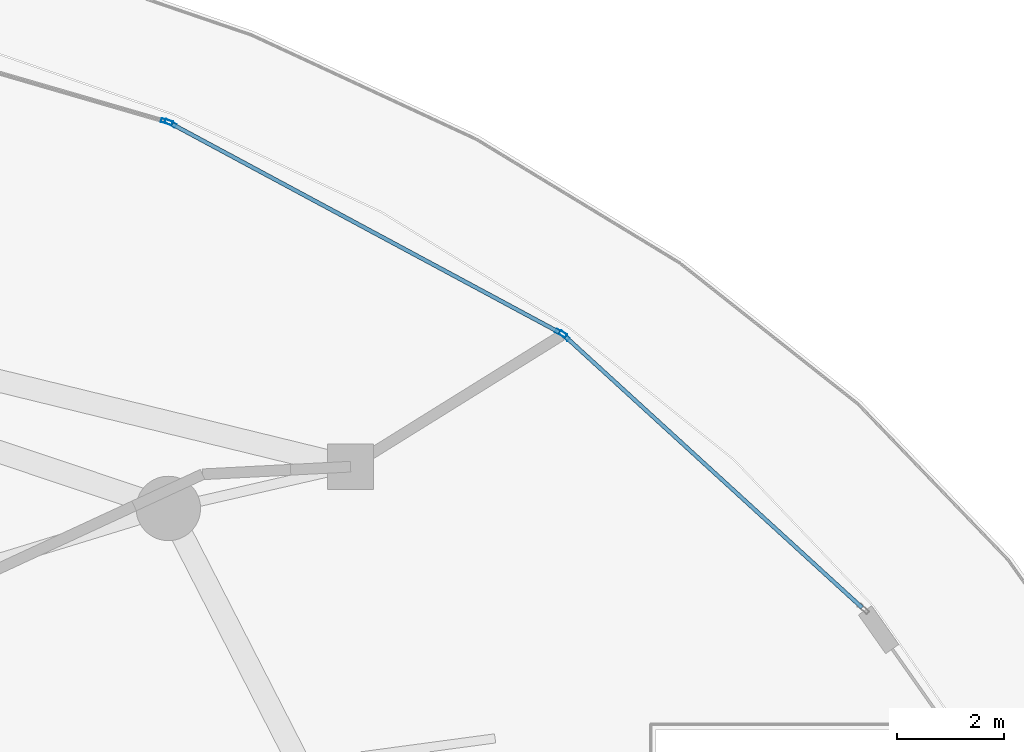
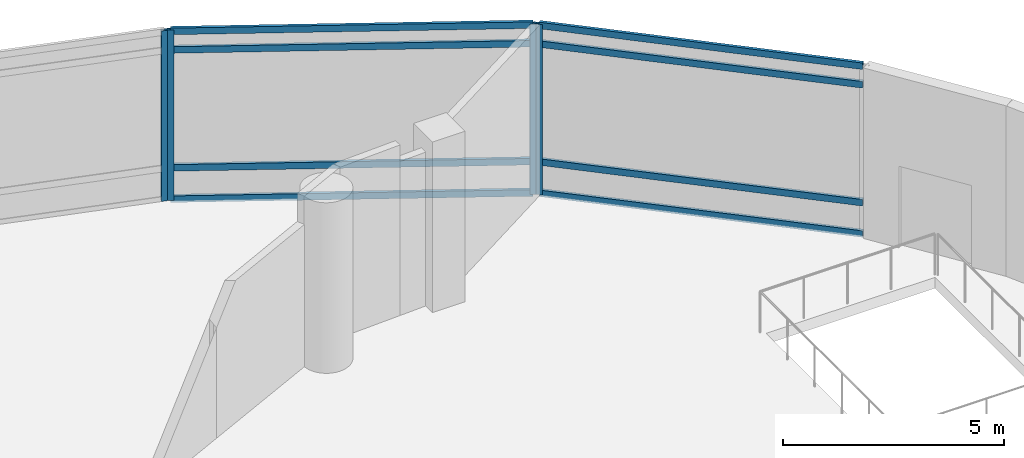
# One storey, part 20 of 36: 12 members, 3 elements without a shape of their own.
"""IFC4 building model written with IfcOpenShell, lengths in metres."""

from ifc_helpers import new_model, si_unit, direction, frame, origin, origin_2d, place, context, subcontext, project, spatial, hollow_rectangle, extrude, material, layer, layer_set, material_profile, profile_set, type_object, element, aggregate, save


model = new_model("IFC4")

# Units and contexts
model_context = context("Model", 3, precision=1e-05, world=origin(), true_north=direction((0.0, 1.0)))
body_context = subcontext(model_context, "Body", "Model", "MODEL_VIEW")
ifc_project = project(units=[si_unit("LENGTHUNIT", "METRE"), si_unit("AREAUNIT", "SQUARE_METRE"), si_unit("VOLUMEUNIT", "CUBIC_METRE"), si_unit("PLANEANGLEUNIT", "RADIAN"), si_unit("MASSUNIT", "GRAM", prefix="KILO")], contexts=[model_context])

# Site, building, storey
site_placement = place(None, origin())
site = spatial("IfcSite", under=ifc_project, at=site_placement, CompositionType="ELEMENT")
building_placement = place(site_placement, origin())
building = spatial("IfcBuilding", under=site, at=building_placement, Name="Nuhasar Tower", CompositionType="ELEMENT")
storey_placement = place(building_placement, frame((0.0, 0.0, 11.0)))
storey = spatial("IfcBuildingStorey", under=building, at=storey_placement, Name="L02", CompositionType="ELEMENT", Elevation=11.0)

# Curtain wall, member
ifc_material = material(Name="Aluminium 6063-T6", Category="aluminium")
ifc_layer = layer(ifc_material, 0.219970703125)
ifc_layer_set = layer_set([ifc_layer], Name="Aluminium 6063-T6")
curtain_wall_type = type_object("IfcCurtainWallType", Name="CW-PODIUM", PredefinedType="NOTDEFINED", material=ifc_layer_set)
curtain_wall_1_placement = place(storey_placement, origin())
curtain_wall_1 = element("IfcCurtainWall", 1, at=curtain_wall_1_placement, inside=storey, type_object=curtain_wall_type, Name="L02 Podium Curtain Wall Bay 03", PredefinedType="NOTDEFINED")
ifc_material_profile_1 = material_profile(ifc_material, hollow_rectangle(XDim=0.074951171875, YDim=0.219970703125, WallThickness=0.0048828125, at=origin_2d()), Name="CWM-1")
ifc_profile_set_1 = profile_set([ifc_material_profile_1], Name="Aluminium 6063-T6")
member_type_1 = type_object("IfcMemberType", Name="CW-MUL-S1", PredefinedType="MULLION", material=ifc_profile_set_1)
member_1_placement = place(storey_placement, frame((64.087646484375, 44.339599609375, 0.0), z_axis=(0.0, 0.0, 1.0), x_axis=(-0.674465166517, -0.738306670127, 0.0)))
member_1 = element("IfcMember", 2, at=member_1_placement, type_object=member_type_1, Name="CW-P1 mullion 2", PredefinedType="MULLION", context=body_context, shape_type="SweptSolid", body=[
    extrude(hollow_rectangle(XDim=0.074951171875, YDim=0.219970703125, WallThickness=0.0048828125, at=origin_2d()), origin(), (0.0, 0.0, 1.0), 4.699951171875),
])

# Curtain wall, members
curtain_wall_2_placement = place(storey_placement, origin())
curtain_wall_2 = element("IfcCurtainWall", 3, at=curtain_wall_2_placement, inside=storey, type_object=curtain_wall_type, Name="L02 Podium Curtain Wall Bay 04", PredefinedType="NOTDEFINED")
member_2_placement = place(storey_placement, frame((64.02685546875, 44.3828125, 0.0), z_axis=(0.0, 0.0, 1.0), x_axis=(-0.473606022453, -0.880736813978, 0.0)))
member_2 = element("IfcMember", 4, at=member_2_placement, type_object=member_type_1, Name="CW-P1 mullion 1", PredefinedType="MULLION", context=body_context, shape_type="SweptSolid", body=[
    extrude(hollow_rectangle(XDim=0.074951171875, YDim=0.219970703125, WallThickness=0.0048828125, at=origin_2d()), origin(), (0.0, 0.0, 1.0), 4.699951171875),
])
member_3_placement = place(storey_placement, frame((56.7529296875, 48.294189453125, 0.0), z_axis=(0.0, 0.0, 1.0), x_axis=(-0.473606022453, -0.880736813978, 0.0)))
member_3 = element("IfcMember", 5, at=member_3_placement, type_object=member_type_1, Name="CW-P1 mullion 2", PredefinedType="MULLION", context=body_context, shape_type="SweptSolid", body=[
    extrude(hollow_rectangle(XDim=0.074951171875, YDim=0.219970703125, WallThickness=0.0048828125, at=origin_2d()), origin(), (0.0, 0.0, 1.0), 4.699951171875),
])

# Curtain wall, member
curtain_wall_3_placement = place(storey_placement, origin())
curtain_wall_3 = element("IfcCurtainWall", 6, at=curtain_wall_3_placement, inside=storey, type_object=curtain_wall_type, Name="L02 Podium Curtain Wall Bay 05", PredefinedType="NOTDEFINED")
member_4_placement = place(storey_placement, frame((56.68408203125, 48.322509765625, 0.0), z_axis=(0.0, 0.0, 1.0), x_axis=(-0.278873705907, -0.960327785787, 0.0)))
member_4 = element("IfcMember", 7, at=member_4_placement, type_object=member_type_1, Name="CW-P1 mullion 1", PredefinedType="MULLION", context=body_context, shape_type="SweptSolid", body=[
    extrude(hollow_rectangle(XDim=0.074951171875, YDim=0.219970703125, WallThickness=0.0048828125, at=origin_2d()), origin(), (0.0, 0.0, 1.0), 4.699951171875),
])
aggregate(curtain_wall_3, [member_4])

# Member
ifc_material_profile_2 = material_profile(ifc_material, hollow_rectangle(XDim=0.074951171875, YDim=0.179931640625, WallThickness=0.00439453125, at=origin_2d()), Name="CWT-1")
ifc_profile_set_2 = profile_set([ifc_material_profile_2], Name="Aluminium 6063-T6")
member_type_2 = type_object("IfcMemberType", Name="CW-TRN-S1", PredefinedType="USERDEFINED", material=ifc_profile_set_2)
member_5_placement = place(storey_placement, frame((69.63671875, 39.2705078125, 0.03759765625), z_axis=(-0.738298169381, 0.674474471785, 0.0), x_axis=(-0.674474471785, -0.738298169381, 0.0)))
member_5 = element("IfcMember", 8, at=member_5_placement, type_object=member_type_2, Name="CW-P1 transom 1.1", ObjectType="TRANSOM", PredefinedType="USERDEFINED", context=body_context, shape_type="SweptSolid", body=[
    extrude(hollow_rectangle(XDim=0.074951171875, YDim=0.179931640625, WallThickness=0.00439453125, at=origin_2d()), origin(), (0.0, 0.0, 1.0), 7.478271484375),
])

member_6_placement = place(storey_placement, frame((69.63671875, 39.2705078125, 0.89990234375), z_axis=(-0.738298169381, 0.674474471785, 0.0), x_axis=(-0.674474471785, -0.738298169381, 0.0)))
member_6 = element("IfcMember", 9, at=member_6_placement, type_object=member_type_2, Name="CW-P1 transom 1.2", ObjectType="TRANSOM", PredefinedType="USERDEFINED", context=body_context, shape_type="SweptSolid", body=[
    extrude(hollow_rectangle(XDim=0.074951171875, YDim=0.179931640625, WallThickness=0.00439453125, at=origin_2d()), origin(), (0.0, 0.0, 1.0), 7.478271484375),
])

member_7_placement = place(storey_placement, frame((69.63671875, 39.2705078125, 4.14990234375), z_axis=(-0.738298169381, 0.674474471785, 0.0), x_axis=(-0.674474471785, -0.738298169381, 0.0)))
member_7 = element("IfcMember", 10, at=member_7_placement, type_object=member_type_2, Name="CW-P1 transom 1.3", ObjectType="TRANSOM", PredefinedType="USERDEFINED", context=body_context, shape_type="SweptSolid", body=[
    extrude(hollow_rectangle(XDim=0.074951171875, YDim=0.179931640625, WallThickness=0.00439453125, at=origin_2d()), origin(), (0.0, 0.0, 1.0), 7.478271484375),
])

member_8_placement = place(storey_placement, frame((69.63671875, 39.2705078125, 4.66259765625), z_axis=(-0.738298169381, 0.674474471785, 0.0), x_axis=(-0.674474471785, -0.738298169381, 0.0)))
member_8 = element("IfcMember", 11, at=member_8_placement, type_object=member_type_2, Name="CW-P1 transom 1.4", ObjectType="TRANSOM", PredefinedType="USERDEFINED", context=body_context, shape_type="SweptSolid", body=[
    extrude(hollow_rectangle(XDim=0.074951171875, YDim=0.179931640625, WallThickness=0.00439453125, at=origin_2d()), origin(), (0.0, 0.0, 1.0), 7.478271484375),
])

aggregate(curtain_wall_1, [member_1, member_5, member_6, member_7, member_8])

member_9_placement = place(storey_placement, frame((63.993896484375, 44.400634765625, 0.03759765625), z_axis=(-0.880744919274, 0.473590949208, 0.0), x_axis=(-0.473590949208, -0.880744919274, 0.0)))
member_9 = element("IfcMember", 12, at=member_9_placement, type_object=member_type_2, Name="CW-P1 transom 1.1", ObjectType="TRANSOM", PredefinedType="USERDEFINED", context=body_context, shape_type="SweptSolid", body=[
    extrude(hollow_rectangle(XDim=0.074951171875, YDim=0.179931640625, WallThickness=0.00439453125, at=origin_2d()), origin(), (0.0, 0.0, 1.0), 8.18359375),
])

member_10_placement = place(storey_placement, frame((63.993896484375, 44.400634765625, 0.89990234375), z_axis=(-0.880744919274, 0.473590949208, 0.0), x_axis=(-0.473590949208, -0.880744919274, 0.0)))
member_10 = element("IfcMember", 13, at=member_10_placement, type_object=member_type_2, Name="CW-P1 transom 1.2", ObjectType="TRANSOM", PredefinedType="USERDEFINED", context=body_context, shape_type="SweptSolid", body=[
    extrude(hollow_rectangle(XDim=0.074951171875, YDim=0.179931640625, WallThickness=0.00439453125, at=origin_2d()), origin(), (0.0, 0.0, 1.0), 8.18359375),
])

member_11_placement = place(storey_placement, frame((63.993896484375, 44.400634765625, 4.14990234375), z_axis=(-0.880744919274, 0.473590949208, 0.0), x_axis=(-0.473590949208, -0.880744919274, 0.0)))
member_11 = element("IfcMember", 14, at=member_11_placement, type_object=member_type_2, Name="CW-P1 transom 1.3", ObjectType="TRANSOM", PredefinedType="USERDEFINED", context=body_context, shape_type="SweptSolid", body=[
    extrude(hollow_rectangle(XDim=0.074951171875, YDim=0.179931640625, WallThickness=0.00439453125, at=origin_2d()), origin(), (0.0, 0.0, 1.0), 8.18359375),
])

member_12_placement = place(storey_placement, frame((63.993896484375, 44.400634765625, 4.66259765625), z_axis=(-0.880744919274, 0.473590949208, 0.0), x_axis=(-0.473590949208, -0.880744919274, 0.0)))
member_12 = element("IfcMember", 15, at=member_12_placement, type_object=member_type_2, Name="CW-P1 transom 1.4", ObjectType="TRANSOM", PredefinedType="USERDEFINED", context=body_context, shape_type="SweptSolid", body=[
    extrude(hollow_rectangle(XDim=0.074951171875, YDim=0.179931640625, WallThickness=0.00439453125, at=origin_2d()), origin(), (0.0, 0.0, 1.0), 8.18359375),
])

aggregate(curtain_wall_2, [member_2, member_3, member_9, member_10, member_11, member_12])

save(model, "model.ifc")
